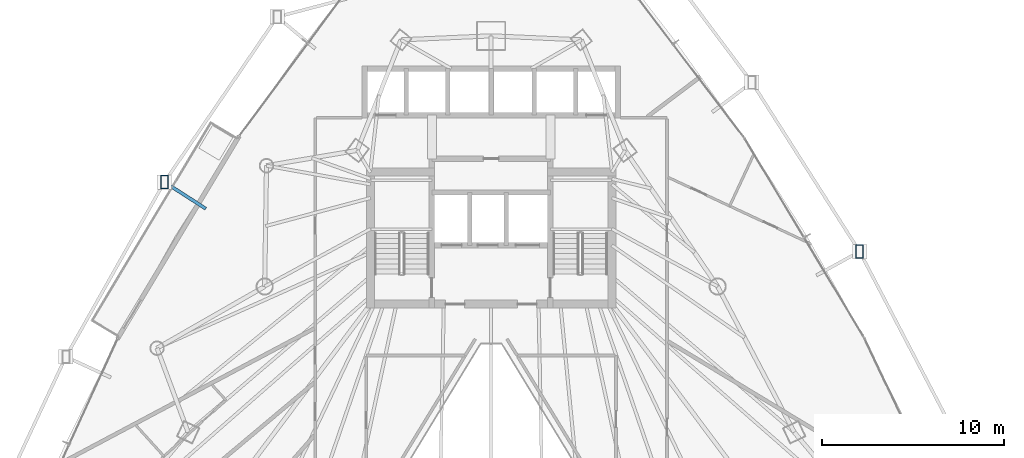
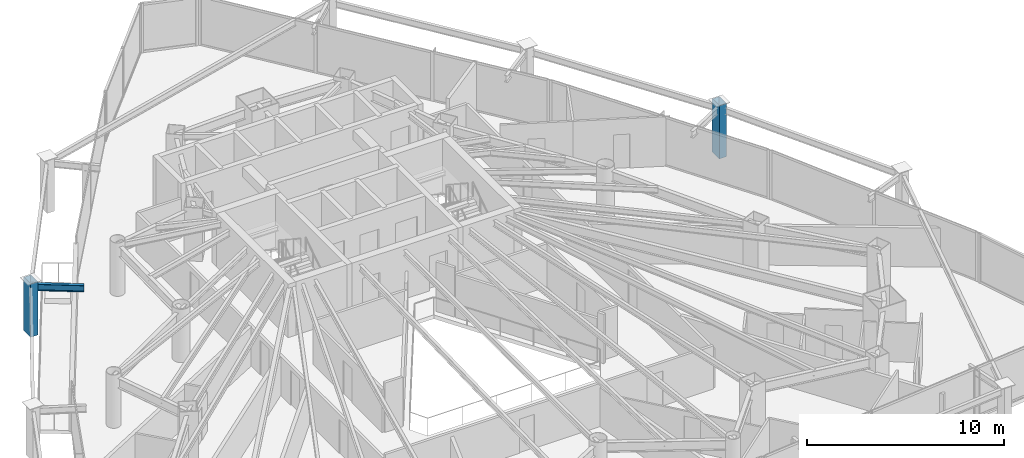
# One storey, part 22 of 38: 2 members, 1 beam.
"""IFC4 building model written with IfcOpenShell, lengths in metres."""

from ifc_helpers import new_model, si_unit, direction, frame, origin, origin_2d, place, context, subcontext, project, spatial, hollow_rectangle, i_section, extrude, material, material_profile, profile_set, type_object, element, save


model = new_model("IFC4")

# Units and contexts
model_context = context("Model", 3, precision=1e-05, world=origin(), true_north=direction((0.0, 1.0)))
body_context = subcontext(model_context, "Body", "Model", "MODEL_VIEW")
ifc_project = project(units=[si_unit("LENGTHUNIT", "METRE"), si_unit("AREAUNIT", "SQUARE_METRE"), si_unit("VOLUMEUNIT", "CUBIC_METRE"), si_unit("PLANEANGLEUNIT", "RADIAN"), si_unit("MASSUNIT", "GRAM", prefix="KILO")], contexts=[model_context])

# Site, building, storey
site_placement = place(None, origin())
site = spatial("IfcSite", under=ifc_project, at=site_placement, CompositionType="ELEMENT")
building_placement = place(site_placement, origin())
building = spatial("IfcBuilding", under=site, at=building_placement, Name="Orvanel Arch Residences", CompositionType="ELEMENT")
storey_placement = place(building_placement, frame((0.0, 0.0, 50.0)))
storey = spatial("IfcBuildingStorey", under=building, at=storey_placement, Name="L13", CompositionType="ELEMENT", Elevation=50.0)

# Members
ifc_material_1 = material(Name="Structural steel AS/NZS 3678 Grade 350", Category="steel")
ifc_material_profile_1 = material_profile(ifc_material_1, hollow_rectangle(XDim=0.419921875, YDim=0.719970703125, WallThickness=0.02490234375, at=origin_2d()), Name="RHS720x420x25")
ifc_profile_set_1 = profile_set([ifc_material_profile_1], Name="Structural steel AS/NZS 3678 Grade 350")
member_type = type_object("IfcMemberType", Name="CH-720RHS-EXT", PredefinedType="CHORD", material=ifc_profile_set_1)
for number, where, z_axis, x_axis, name in (
    (1, (15.06591796875, 33.3740234375, 0.0), (0.0, 0.0, 1.0), (1.0, 0.0, 0.0), "L13 Outer Perimeter Frame Post 02"),
    (2, (53.221923828125, 29.55908203125, 0.0), (0.0, 0.0, 1.0), (1.0, 0.0, 0.0), "L13 Outer Perimeter Frame Post 10"),
):
    element("IfcMember", number, at=place(storey_placement, frame(where, z_axis=z_axis, x_axis=x_axis)), inside=storey, type_object=member_type, Name=name, PredefinedType="CHORD", context=body_context, shape_type="SweptSolid", body=[
        extrude(hollow_rectangle(XDim=0.419921875, YDim=0.719970703125, WallThickness=0.02490234375, at=origin_2d()), origin(), (0.0, 0.0, 1.0), 3.300048828125),
    ])

# Beam
ifc_material_2 = material(Name="Structural steel AS/NZS 3679.1 Grade 300 (300 MPa)", Category="steel")
ifc_material_profile_2 = material_profile(ifc_material_2, i_section(OverallWidth=0.177978515625, OverallDepth=0.406005859375, WebThickness=0.0078125, FlangeThickness=0.0126953125, at=origin_2d()), Name="410UB59.7")
ifc_profile_set_2 = profile_set([ifc_material_profile_2], Name="Structural steel AS/NZS 3679.1 Grade 300 (300 MPa)")
beam_type = type_object("IfcBeamType", Name="OB-410UB-EXT", PredefinedType="SPANDREL", material=ifc_profile_set_2)
beam_placement = place(storey_placement, frame((17.342041015625, 31.906982421875, 2.85693359375), z_axis=(-0.840536367173, 0.541755124996, 0.0), x_axis=(-0.541755124996, -0.840536367173, 0.0)))
element("IfcBeam", 3, at=beam_placement, inside=storey, type_object=beam_type, Name="L13 Outer Frame Radial Tie Beam 02", PredefinedType="SPANDREL", context=body_context, shape_type="SweptSolid", body=[
    extrude(i_section(OverallWidth=0.177978515625, OverallDepth=0.406005859375, WebThickness=0.0078125, FlangeThickness=0.0126953125, at=origin_2d()), origin(), (0.0, 0.0, 1.0), 2.7080078125),
])

save(model, "model.ifc")
